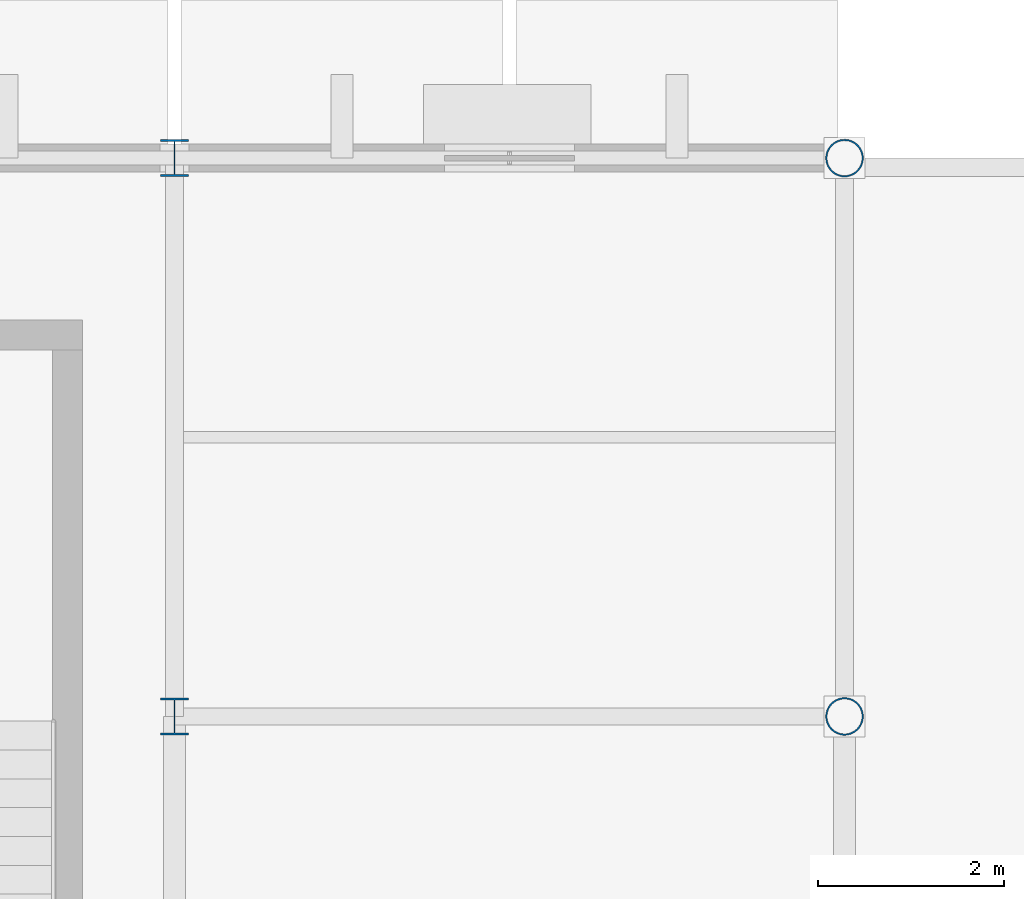
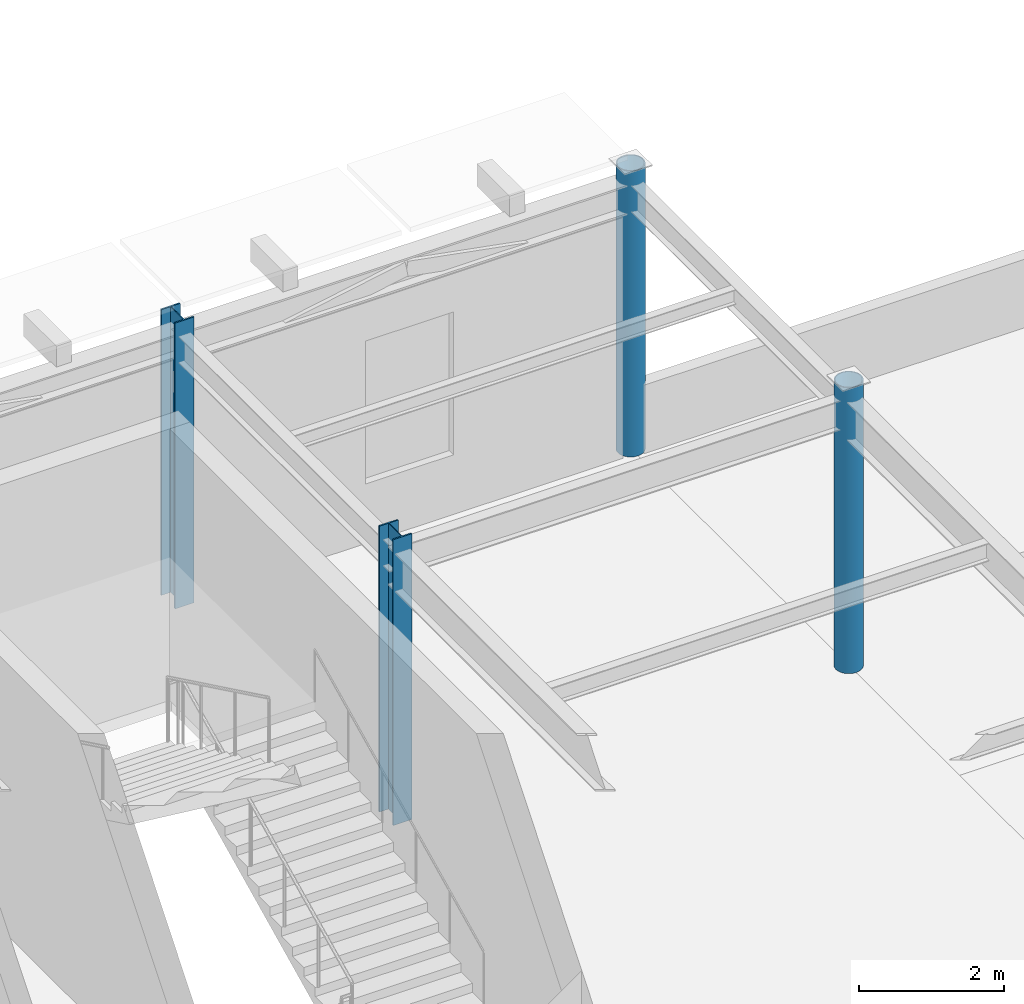
# One storey, part 13 of 126: 4 columns.
"""IFC4 building model written with IfcOpenShell, lengths in metres."""

from ifc_helpers import new_model, si_unit, direction, frame, origin, origin_2d, place, context, subcontext, project, spatial, hollow_circle, i_section, extrude, material, material_profile, profile_set, type_object, element, save


model = new_model("IFC4")

# Units and contexts
model_context = context("Model", 3, precision=1e-05, world=origin(), true_north=direction((0.0, 1.0)))
body_context = subcontext(model_context, "Body", "Model", "MODEL_VIEW")
ifc_project = project(units=[si_unit("LENGTHUNIT", "METRE"), si_unit("AREAUNIT", "SQUARE_METRE"), si_unit("VOLUMEUNIT", "CUBIC_METRE"), si_unit("PLANEANGLEUNIT", "RADIAN"), si_unit("MASSUNIT", "GRAM", prefix="KILO")], contexts=[model_context])

# Site, building, storey
site_placement = place(None, origin())
site = spatial("IfcSite", under=ifc_project, at=site_placement, CompositionType="ELEMENT")
building_placement = place(site_placement, origin())
building = spatial("IfcBuilding", under=site, at=building_placement, Name="Solvadek Multi-Sports Hall", CompositionType="ELEMENT")
storey_placement = place(building_placement, frame((0.0, 0.0, 9.60009765625)))
storey = spatial("IfcBuildingStorey", under=building, at=storey_placement, Name="L02", CompositionType="ELEMENT", Elevation=9.60009765625)

# Columns
ifc_material = material(Name="Steel E350 (350 MPa)", Category="steel")
ifc_material_profile_1 = material_profile(ifc_material, hollow_circle(Radius=0.203125, WallThickness=0.01611328125, at=origin_2d()), Name="CHS 406.4x16")
ifc_profile_set_1 = profile_set([ifc_material_profile_1], Name="Steel E350 (350 MPa)")
column_type_1 = type_object("IfcColumnType", Name="STR-COL-CHS406", PredefinedType="COLUMN", material=ifc_profile_set_1)
for number, where, z_axis, x_axis, name in (
    (1, (72.0, 104.39990234375, 0.0), (0.0, 0.0, 1.0), (1.0, 0.0, 0.0), "L02 Column C-11 #158"),
    (2, (72.0, 110.39990234375, 0.0), (0.0, 0.0, 1.0), (1.0, 0.0, 0.0), "L02 Column C-11 #159"),
):
    element("IfcColumn", number, at=place(storey_placement, frame(where, z_axis=z_axis, x_axis=x_axis)), inside=storey, type_object=column_type_1, Name=name, PredefinedType="COLUMN", context=body_context, shape_type="SweptSolid", body=[
        extrude(hollow_circle(Radius=0.203125, WallThickness=0.01611328125, at=origin_2d()), origin(), (0.0, 0.0, 1.0), 4.7998046875),
    ])
ifc_material_profile_2 = material_profile(ifc_material, i_section(OverallWidth=0.300048828125, OverallDepth=0.39990234375, WebThickness=0.013427734375, FlangeThickness=0.02392578125, at=origin_2d()), Name="WPB 400")
ifc_profile_set_2 = profile_set([ifc_material_profile_2], Name="Steel E350 (350 MPa)")
column_type_2 = type_object("IfcColumnType", Name="STR-COL-WPB400", PredefinedType="COLUMN", material=ifc_profile_set_2)
for number, where, z_axis, x_axis, name in (
    (3, (64.800048828125, 104.39990234375, 0.0), (0.0, 0.0, 1.0), (1.0, 0.0, 0.0), "L02 Column C-07 #142"),
    (4, (64.800048828125, 110.39990234375, 0.0), (0.0, 0.0, 1.0), (1.0, 0.0, 0.0), "L02 Column C-07 #143"),
):
    element("IfcColumn", number, at=place(storey_placement, frame(where, z_axis=z_axis, x_axis=x_axis)), inside=storey, type_object=column_type_2, Name=name, PredefinedType="COLUMN", context=body_context, shape_type="SweptSolid", body=[
        extrude(i_section(OverallWidth=0.300048828125, OverallDepth=0.39990234375, WebThickness=0.013427734375, FlangeThickness=0.02392578125, at=origin_2d()), origin(), (0.0, 0.0, 1.0), 4.7998046875),
    ])

save(model, "model.ifc")
